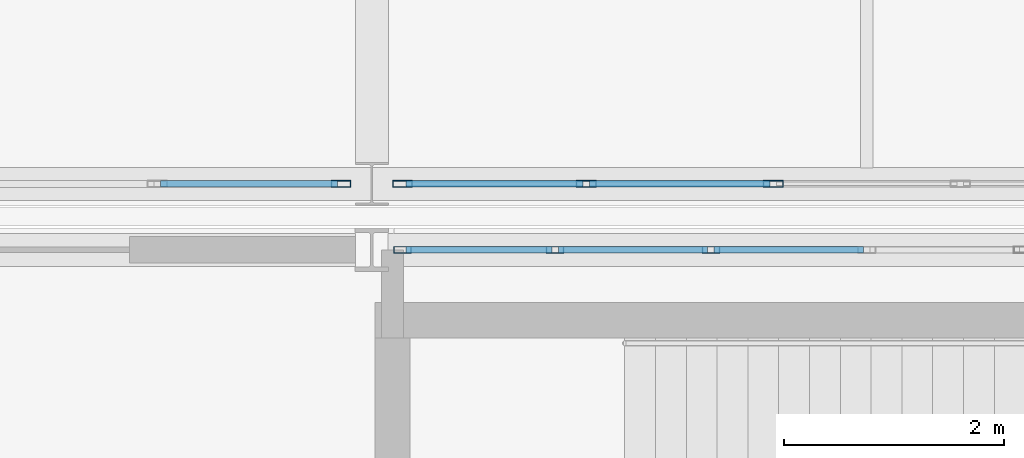
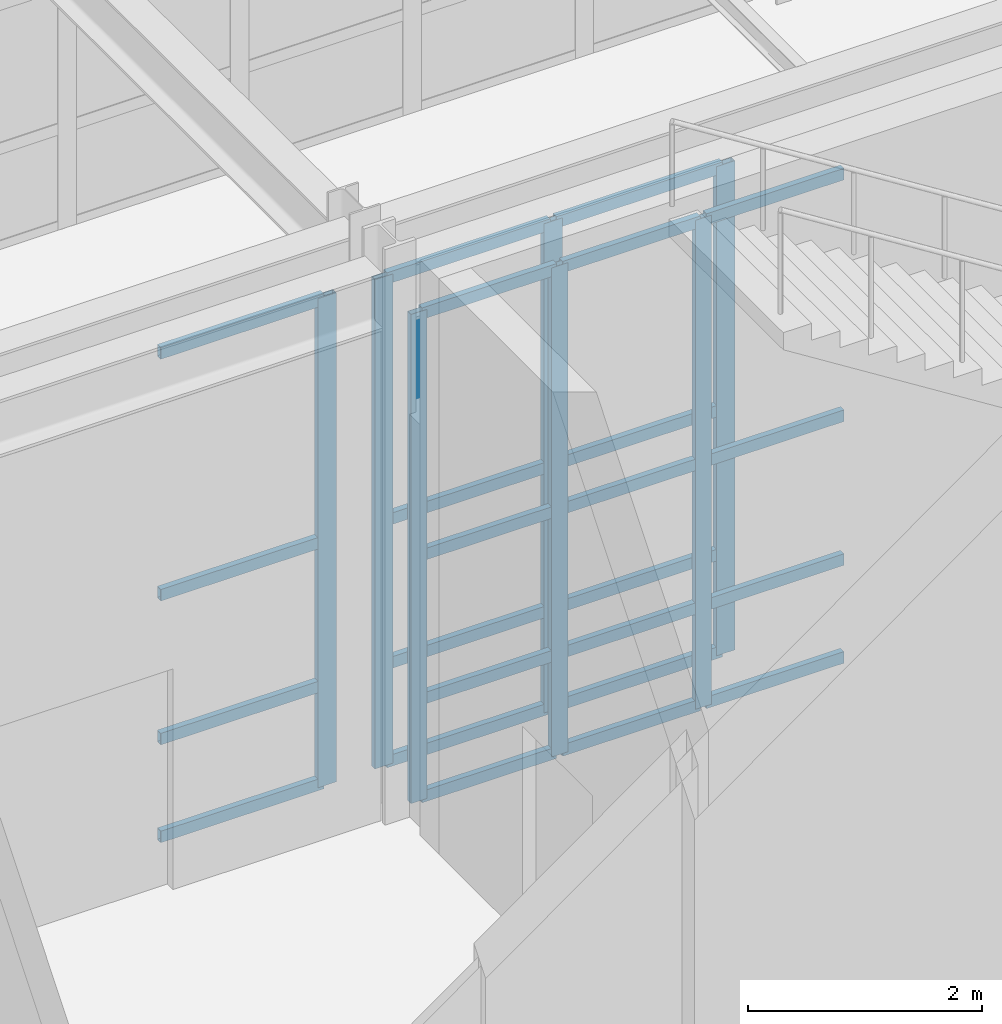
# One storey, part 31 of 146: 31 members, 3 elements without a shape of their own.
"""IFC4 building model written with IfcOpenShell, lengths in metres."""

from ifc_helpers import new_model, si_unit, direction, frame, origin, origin_2d, place, context, subcontext, project, spatial, hollow_rectangle, extrude, material, material_profile, profile_set, type_object, element, aggregate, save


model = new_model("IFC4")

# Units and contexts
model_context = context("Model", 3, precision=1e-05, world=origin(), true_north=direction((0.0, 1.0)))
body_context = subcontext(model_context, "Body", "Model", "MODEL_VIEW")
ifc_project = project(units=[si_unit("LENGTHUNIT", "METRE"), si_unit("AREAUNIT", "SQUARE_METRE"), si_unit("VOLUMEUNIT", "CUBIC_METRE"), si_unit("PLANEANGLEUNIT", "RADIAN"), si_unit("MASSUNIT", "GRAM", prefix="KILO")], contexts=[model_context])

# Site, building, storey
site_placement = place(None, origin())
site = spatial("IfcSite", under=ifc_project, at=site_placement, CompositionType="ELEMENT")
building_placement = place(site_placement, origin())
building = spatial("IfcBuilding", under=site, at=building_placement, Name="Kaldris Quays Convention Centre", CompositionType="ELEMENT")
storey_placement = place(building_placement, origin())
storey = spatial("IfcBuildingStorey", under=building, at=storey_placement, Name="L00", CompositionType="ELEMENT", Elevation=0.0)

# Curtain wall, members
ifc_material_1 = material(Name="Anodized aluminium AW-6060 and triple glazing", Category="aluminium")
curtain_wall_type_1 = type_object("IfcCurtainWallType", Name="UNITISED CURTAIN WALL CW01", PredefinedType="NOTDEFINED", material=ifc_material_1)
curtain_wall_1_placement = place(storey_placement, origin())
curtain_wall_1 = element("IfcCurtainWall", 1, at=curtain_wall_1_placement, inside=storey, type_object=curtain_wall_type_1, Name="L00 Unitised Curtain Wall CW01 46", PredefinedType="NOTDEFINED")
ifc_material_2 = material(Name="Anodized aluminium AW-6060", Category="aluminium")
ifc_material_profile_1 = material_profile(ifc_material_2, hollow_rectangle(XDim=0.06005859375, YDim=0.159912109375, WallThickness=0.00390625, at=origin_2d()), Name="RHS 160x60x4")
ifc_profile_set_1 = profile_set([ifc_material_profile_1], Name="Anodized aluminium AW-6060")
member_type_1 = type_object("IfcMemberType", Name="CURTAIN MULLION CWM1", PredefinedType="MULLION", material=ifc_profile_set_1)
member_1_placement = place(storey_placement, frame((47.280029296875, 46.0, 0.0), z_axis=(0.0, 0.0, 1.0), x_axis=(0.0, 1.0, 0.0)))
member_1 = element("IfcMember", 2, at=member_1_placement, type_object=member_type_1, Name="CW01 mullion 1", PredefinedType="MULLION", context=body_context, shape_type="SweptSolid", body=[
    extrude(hollow_rectangle(XDim=0.06005859375, YDim=0.159912109375, WallThickness=0.00390625, at=origin_2d()), origin(), (0.0, 0.0, 1.0), 5.097900390625),
])
member_2_placement = place(storey_placement, frame((48.666748046875, 46.0, 0.0), z_axis=(0.0, 0.0, 1.0), x_axis=(0.0, 1.0, 0.0)))
member_2 = element("IfcMember", 3, at=member_2_placement, type_object=member_type_1, Name="CW01 mullion 2", PredefinedType="MULLION", context=body_context, shape_type="SweptSolid", body=[
    extrude(hollow_rectangle(XDim=0.06005859375, YDim=0.159912109375, WallThickness=0.00390625, at=origin_2d()), origin(), (0.0, 0.0, 1.0), 5.097900390625),
])
member_3_placement = place(storey_placement, frame((50.083251953125, 46.0, 0.0), z_axis=(0.0, 0.0, 1.0), x_axis=(0.0, 1.0, 0.0)))
member_3 = element("IfcMember", 4, at=member_3_placement, type_object=member_type_1, Name="CW01 mullion 3", PredefinedType="MULLION", context=body_context, shape_type="SweptSolid", body=[
    extrude(hollow_rectangle(XDim=0.06005859375, YDim=0.159912109375, WallThickness=0.00390625, at=origin_2d()), origin(), (0.0, 0.0, 1.0), 5.097900390625),
])

# Curtain wall, member
curtain_wall_type_2 = type_object("IfcCurtainWallType", Name="UNITISED CURTAIN WALL CW02", PredefinedType="NOTDEFINED", material=ifc_material_1)
curtain_wall_2_placement = place(storey_placement, origin())
curtain_wall_2 = element("IfcCurtainWall", 5, at=curtain_wall_2_placement, inside=storey, type_object=curtain_wall_type_2, Name="L00 Unitised Curtain Wall CW02 80", PredefinedType="NOTDEFINED")
ifc_material_profile_2 = material_profile(ifc_material_2, hollow_rectangle(XDim=0.06005859375, YDim=0.179931640625, WallThickness=0.0048828125, at=origin_2d()), Name="RHS 180x60x5")
ifc_profile_set_2 = profile_set([ifc_material_profile_2], Name="Anodized aluminium AW-6060")
member_type_2 = type_object("IfcMemberType", Name="CURTAIN MULLION CWM2", PredefinedType="MULLION", material=ifc_profile_set_2)
member_4_placement = place(storey_placement, frame((46.719970703125, 46.60009765625, 0.0), z_axis=(0.0, 0.0, 1.0), x_axis=(0.0, 1.0, 0.0)))
member_4 = element("IfcMember", 6, at=member_4_placement, type_object=member_type_2, Name="CW02 mullion 6", PredefinedType="MULLION", context=body_context, shape_type="SweptSolid", body=[
    extrude(hollow_rectangle(XDim=0.06005859375, YDim=0.179931640625, WallThickness=0.0048828125, at=origin_2d()), origin(), (0.0, 0.0, 1.0), 5.10009765625),
])

# Curtain wall, members
curtain_wall_3_placement = place(storey_placement, origin())
curtain_wall_3 = element("IfcCurtainWall", 7, at=curtain_wall_3_placement, inside=storey, type_object=curtain_wall_type_2, Name="L00 Unitised Curtain Wall CW02 82", PredefinedType="NOTDEFINED")
member_5_placement = place(storey_placement, frame((47.280029296875, 46.60009765625, 0.0), z_axis=(0.0, 0.0, 1.0), x_axis=(0.0, 1.0, 0.0)))
member_5 = element("IfcMember", 8, at=member_5_placement, type_object=member_type_2, Name="CW02 mullion 1", PredefinedType="MULLION", context=body_context, shape_type="SweptSolid", body=[
    extrude(hollow_rectangle(XDim=0.06005859375, YDim=0.179931640625, WallThickness=0.0048828125, at=origin_2d()), origin(), (0.0, 0.0, 1.0), 5.10009765625),
])
member_6_placement = place(storey_placement, frame((48.949951171875, 46.60009765625, 0.0), z_axis=(0.0, 0.0, 1.0), x_axis=(0.0, 1.0, 0.0)))
member_6 = element("IfcMember", 9, at=member_6_placement, type_object=member_type_2, Name="CW02 mullion 2", PredefinedType="MULLION", context=body_context, shape_type="SweptSolid", body=[
    extrude(hollow_rectangle(XDim=0.06005859375, YDim=0.179931640625, WallThickness=0.0048828125, at=origin_2d()), origin(), (0.0, 0.0, 1.0), 5.10009765625),
])
member_7_placement = place(storey_placement, frame((50.64990234375, 46.60009765625, 0.0), z_axis=(0.0, 0.0, 1.0), x_axis=(0.0, 1.0, 0.0)))
member_7 = element("IfcMember", 10, at=member_7_placement, type_object=member_type_2, Name="CW02 mullion 3", PredefinedType="MULLION", context=body_context, shape_type="SweptSolid", body=[
    extrude(hollow_rectangle(XDim=0.06005859375, YDim=0.179931640625, WallThickness=0.0048828125, at=origin_2d()), origin(), (0.0, 0.0, 1.0), 5.10009765625),
])

# Member
ifc_material_profile_3 = material_profile(ifc_material_2, hollow_rectangle(XDim=0.06005859375, YDim=0.1201171875, WallThickness=0.00390625, at=origin_2d()), Name="RHS 120x60x4")
ifc_profile_set_3 = profile_set([ifc_material_profile_3], Name="Anodized aluminium AW-6060")
member_type_3 = type_object("IfcMemberType", Name="CURTAIN TRANSOM CWT1", PredefinedType="USERDEFINED", material=ifc_profile_set_3)
member_8_placement = place(storey_placement, frame((47.31005859375, 46.0, 0.030029296875), z_axis=(1.0, 0.0, 0.0), x_axis=(0.0, 1.0, 0.0)))
member_8 = element("IfcMember", 11, at=member_8_placement, type_object=member_type_3, Name="CW01 transom 1.1", ObjectType="TRANSOM", PredefinedType="USERDEFINED", context=body_context, shape_type="SweptSolid", body=[
    extrude(hollow_rectangle(XDim=0.06005859375, YDim=0.1201171875, WallThickness=0.00390625, at=origin_2d()), origin(), (0.0, 0.0, 1.0), 1.32666015625),
])

member_9_placement = place(storey_placement, frame((47.31005859375, 46.0, 1.050048828125), z_axis=(1.0, 0.0, 0.0), x_axis=(0.0, 1.0, 0.0)))
member_9 = element("IfcMember", 12, at=member_9_placement, type_object=member_type_3, Name="CW01 transom 1.2", ObjectType="TRANSOM", PredefinedType="USERDEFINED", context=body_context, shape_type="SweptSolid", body=[
    extrude(hollow_rectangle(XDim=0.06005859375, YDim=0.1201171875, WallThickness=0.00390625, at=origin_2d()), origin(), (0.0, 0.0, 1.0), 1.32666015625),
])

member_10_placement = place(storey_placement, frame((47.31005859375, 46.0, 2.549072265625), z_axis=(1.0, 0.0, 0.0), x_axis=(0.0, 1.0, 0.0)))
member_10 = element("IfcMember", 13, at=member_10_placement, type_object=member_type_3, Name="CW01 transom 1.3", ObjectType="TRANSOM", PredefinedType="USERDEFINED", context=body_context, shape_type="SweptSolid", body=[
    extrude(hollow_rectangle(XDim=0.06005859375, YDim=0.1201171875, WallThickness=0.00390625, at=origin_2d()), origin(), (0.0, 0.0, 1.0), 1.32666015625),
])

member_11_placement = place(storey_placement, frame((47.31005859375, 46.0, 5.068115234375), z_axis=(1.0, 0.0, 0.0), x_axis=(0.0, 1.0, 0.0)))
member_11 = element("IfcMember", 14, at=member_11_placement, type_object=member_type_3, Name="CW01 transom 1.4", ObjectType="TRANSOM", PredefinedType="USERDEFINED", context=body_context, shape_type="SweptSolid", body=[
    extrude(hollow_rectangle(XDim=0.06005859375, YDim=0.1201171875, WallThickness=0.00390625, at=origin_2d()), origin(), (0.0, 0.0, 1.0), 1.32666015625),
])

member_12_placement = place(storey_placement, frame((48.69677734375, 46.0, 0.030029296875), z_axis=(1.0, 0.0, 0.0), x_axis=(0.0, 1.0, 0.0)))
member_12 = element("IfcMember", 15, at=member_12_placement, type_object=member_type_3, Name="CW01 transom 2.1", ObjectType="TRANSOM", PredefinedType="USERDEFINED", context=body_context, shape_type="SweptSolid", body=[
    extrude(hollow_rectangle(XDim=0.06005859375, YDim=0.1201171875, WallThickness=0.00390625, at=origin_2d()), origin(), (0.0, 0.0, 1.0), 1.3564453125),
])

member_13_placement = place(storey_placement, frame((48.69677734375, 46.0, 1.050048828125), z_axis=(1.0, 0.0, 0.0), x_axis=(0.0, 1.0, 0.0)))
member_13 = element("IfcMember", 16, at=member_13_placement, type_object=member_type_3, Name="CW01 transom 2.2", ObjectType="TRANSOM", PredefinedType="USERDEFINED", context=body_context, shape_type="SweptSolid", body=[
    extrude(hollow_rectangle(XDim=0.06005859375, YDim=0.1201171875, WallThickness=0.00390625, at=origin_2d()), origin(), (0.0, 0.0, 1.0), 1.3564453125),
])

member_14_placement = place(storey_placement, frame((48.69677734375, 46.0, 2.549072265625), z_axis=(1.0, 0.0, 0.0), x_axis=(0.0, 1.0, 0.0)))
member_14 = element("IfcMember", 17, at=member_14_placement, type_object=member_type_3, Name="CW01 transom 2.3", ObjectType="TRANSOM", PredefinedType="USERDEFINED", context=body_context, shape_type="SweptSolid", body=[
    extrude(hollow_rectangle(XDim=0.06005859375, YDim=0.1201171875, WallThickness=0.00390625, at=origin_2d()), origin(), (0.0, 0.0, 1.0), 1.3564453125),
])

member_15_placement = place(storey_placement, frame((48.69677734375, 46.0, 5.068115234375), z_axis=(1.0, 0.0, 0.0), x_axis=(0.0, 1.0, 0.0)))
member_15 = element("IfcMember", 18, at=member_15_placement, type_object=member_type_3, Name="CW01 transom 2.4", ObjectType="TRANSOM", PredefinedType="USERDEFINED", context=body_context, shape_type="SweptSolid", body=[
    extrude(hollow_rectangle(XDim=0.06005859375, YDim=0.1201171875, WallThickness=0.00390625, at=origin_2d()), origin(), (0.0, 0.0, 1.0), 1.3564453125),
])

member_16_placement = place(storey_placement, frame((50.11328125, 46.0, 0.030029296875), z_axis=(1.0, 0.0, 0.0), x_axis=(0.0, 1.0, 0.0)))
member_16 = element("IfcMember", 19, at=member_16_placement, type_object=member_type_3, Name="CW01 transom 3.1", ObjectType="TRANSOM", PredefinedType="USERDEFINED", context=body_context, shape_type="SweptSolid", body=[
    extrude(hollow_rectangle(XDim=0.06005859375, YDim=0.1201171875, WallThickness=0.00390625, at=origin_2d()), origin(), (0.0, 0.0, 1.0), 1.356689453125),
])

member_17_placement = place(storey_placement, frame((50.11328125, 46.0, 1.050048828125), z_axis=(1.0, 0.0, 0.0), x_axis=(0.0, 1.0, 0.0)))
member_17 = element("IfcMember", 20, at=member_17_placement, type_object=member_type_3, Name="CW01 transom 3.2", ObjectType="TRANSOM", PredefinedType="USERDEFINED", context=body_context, shape_type="SweptSolid", body=[
    extrude(hollow_rectangle(XDim=0.06005859375, YDim=0.1201171875, WallThickness=0.00390625, at=origin_2d()), origin(), (0.0, 0.0, 1.0), 1.356689453125),
])

member_18_placement = place(storey_placement, frame((50.11328125, 46.0, 2.549072265625), z_axis=(1.0, 0.0, 0.0), x_axis=(0.0, 1.0, 0.0)))
member_18 = element("IfcMember", 21, at=member_18_placement, type_object=member_type_3, Name="CW01 transom 3.3", ObjectType="TRANSOM", PredefinedType="USERDEFINED", context=body_context, shape_type="SweptSolid", body=[
    extrude(hollow_rectangle(XDim=0.06005859375, YDim=0.1201171875, WallThickness=0.00390625, at=origin_2d()), origin(), (0.0, 0.0, 1.0), 1.356689453125),
])

member_19_placement = place(storey_placement, frame((50.11328125, 46.0, 5.068115234375), z_axis=(1.0, 0.0, 0.0), x_axis=(0.0, 1.0, 0.0)))
member_19 = element("IfcMember", 22, at=member_19_placement, type_object=member_type_3, Name="CW01 transom 3.4", ObjectType="TRANSOM", PredefinedType="USERDEFINED", context=body_context, shape_type="SweptSolid", body=[
    extrude(hollow_rectangle(XDim=0.06005859375, YDim=0.1201171875, WallThickness=0.00390625, at=origin_2d()), origin(), (0.0, 0.0, 1.0), 1.356689453125),
])

aggregate(curtain_wall_1, [member_1, member_2, member_3, member_8, member_9, member_10, member_11, member_12, member_13, member_14, member_15, member_16, member_17, member_18, member_19])

member_20_placement = place(storey_placement, frame((45.080078125, 46.60009765625, 0.030029296875), z_axis=(1.0, 0.0, 0.0), x_axis=(0.0, 1.0, 0.0)))
member_20 = element("IfcMember", 23, at=member_20_placement, type_object=member_type_3, Name="CW02 transom 5.1", ObjectType="TRANSOM", PredefinedType="USERDEFINED", context=body_context, shape_type="SweptSolid", body=[
    extrude(hollow_rectangle(XDim=0.06005859375, YDim=0.1201171875, WallThickness=0.00390625, at=origin_2d()), origin(), (0.0, 0.0, 1.0), 1.60986328125),
])

member_21_placement = place(storey_placement, frame((45.080078125, 46.60009765625, 1.050048828125), z_axis=(1.0, 0.0, 0.0), x_axis=(0.0, 1.0, 0.0)))
member_21 = element("IfcMember", 24, at=member_21_placement, type_object=member_type_3, Name="CW02 transom 5.2", ObjectType="TRANSOM", PredefinedType="USERDEFINED", context=body_context, shape_type="SweptSolid", body=[
    extrude(hollow_rectangle(XDim=0.06005859375, YDim=0.1201171875, WallThickness=0.00390625, at=origin_2d()), origin(), (0.0, 0.0, 1.0), 1.60986328125),
])

member_22_placement = place(storey_placement, frame((45.080078125, 46.60009765625, 2.550048828125), z_axis=(1.0, 0.0, 0.0), x_axis=(0.0, 1.0, 0.0)))
member_22 = element("IfcMember", 25, at=member_22_placement, type_object=member_type_3, Name="CW02 transom 5.3", ObjectType="TRANSOM", PredefinedType="USERDEFINED", context=body_context, shape_type="SweptSolid", body=[
    extrude(hollow_rectangle(XDim=0.06005859375, YDim=0.1201171875, WallThickness=0.00390625, at=origin_2d()), origin(), (0.0, 0.0, 1.0), 1.60986328125),
])

member_23_placement = place(storey_placement, frame((45.080078125, 46.60009765625, 5.070068359375), z_axis=(1.0, 0.0, 0.0), x_axis=(0.0, 1.0, 0.0)))
member_23 = element("IfcMember", 26, at=member_23_placement, type_object=member_type_3, Name="CW02 transom 5.4", ObjectType="TRANSOM", PredefinedType="USERDEFINED", context=body_context, shape_type="SweptSolid", body=[
    extrude(hollow_rectangle(XDim=0.06005859375, YDim=0.1201171875, WallThickness=0.00390625, at=origin_2d()), origin(), (0.0, 0.0, 1.0), 1.60986328125),
])

aggregate(curtain_wall_2, [member_4, member_20, member_21, member_22, member_23])

member_24_placement = place(storey_placement, frame((47.31005859375, 46.60009765625, 0.030029296875), z_axis=(1.0, 0.0, 0.0), x_axis=(0.0, 1.0, 0.0)))
member_24 = element("IfcMember", 27, at=member_24_placement, type_object=member_type_3, Name="CW02 transom 1.1", ObjectType="TRANSOM", PredefinedType="USERDEFINED", context=body_context, shape_type="SweptSolid", body=[
    extrude(hollow_rectangle(XDim=0.06005859375, YDim=0.1201171875, WallThickness=0.00390625, at=origin_2d()), origin(), (0.0, 0.0, 1.0), 1.60986328125),
])

member_25_placement = place(storey_placement, frame((47.31005859375, 46.60009765625, 1.050048828125), z_axis=(1.0, 0.0, 0.0), x_axis=(0.0, 1.0, 0.0)))
member_25 = element("IfcMember", 28, at=member_25_placement, type_object=member_type_3, Name="CW02 transom 1.2", ObjectType="TRANSOM", PredefinedType="USERDEFINED", context=body_context, shape_type="SweptSolid", body=[
    extrude(hollow_rectangle(XDim=0.06005859375, YDim=0.1201171875, WallThickness=0.00390625, at=origin_2d()), origin(), (0.0, 0.0, 1.0), 1.60986328125),
])

member_26_placement = place(storey_placement, frame((47.31005859375, 46.60009765625, 2.550048828125), z_axis=(1.0, 0.0, 0.0), x_axis=(0.0, 1.0, 0.0)))
member_26 = element("IfcMember", 29, at=member_26_placement, type_object=member_type_3, Name="CW02 transom 1.3", ObjectType="TRANSOM", PredefinedType="USERDEFINED", context=body_context, shape_type="SweptSolid", body=[
    extrude(hollow_rectangle(XDim=0.06005859375, YDim=0.1201171875, WallThickness=0.00390625, at=origin_2d()), origin(), (0.0, 0.0, 1.0), 1.60986328125),
])

member_27_placement = place(storey_placement, frame((47.31005859375, 46.60009765625, 5.070068359375), z_axis=(1.0, 0.0, 0.0), x_axis=(0.0, 1.0, 0.0)))
member_27 = element("IfcMember", 30, at=member_27_placement, type_object=member_type_3, Name="CW02 transom 1.4", ObjectType="TRANSOM", PredefinedType="USERDEFINED", context=body_context, shape_type="SweptSolid", body=[
    extrude(hollow_rectangle(XDim=0.06005859375, YDim=0.1201171875, WallThickness=0.00390625, at=origin_2d()), origin(), (0.0, 0.0, 1.0), 1.60986328125),
])

member_28_placement = place(storey_placement, frame((48.97998046875, 46.60009765625, 0.030029296875), z_axis=(1.0, 0.0, 0.0), x_axis=(0.0, 1.0, 0.0)))
member_28 = element("IfcMember", 31, at=member_28_placement, type_object=member_type_3, Name="CW02 transom 2.1", ObjectType="TRANSOM", PredefinedType="USERDEFINED", context=body_context, shape_type="SweptSolid", body=[
    extrude(hollow_rectangle(XDim=0.06005859375, YDim=0.1201171875, WallThickness=0.00390625, at=origin_2d()), origin(), (0.0, 0.0, 1.0), 1.64013671875),
])

member_29_placement = place(storey_placement, frame((48.97998046875, 46.60009765625, 1.050048828125), z_axis=(1.0, 0.0, 0.0), x_axis=(0.0, 1.0, 0.0)))
member_29 = element("IfcMember", 32, at=member_29_placement, type_object=member_type_3, Name="CW02 transom 2.2", ObjectType="TRANSOM", PredefinedType="USERDEFINED", context=body_context, shape_type="SweptSolid", body=[
    extrude(hollow_rectangle(XDim=0.06005859375, YDim=0.1201171875, WallThickness=0.00390625, at=origin_2d()), origin(), (0.0, 0.0, 1.0), 1.64013671875),
])

member_30_placement = place(storey_placement, frame((48.97998046875, 46.60009765625, 2.550048828125), z_axis=(1.0, 0.0, 0.0), x_axis=(0.0, 1.0, 0.0)))
member_30 = element("IfcMember", 33, at=member_30_placement, type_object=member_type_3, Name="CW02 transom 2.3", ObjectType="TRANSOM", PredefinedType="USERDEFINED", context=body_context, shape_type="SweptSolid", body=[
    extrude(hollow_rectangle(XDim=0.06005859375, YDim=0.1201171875, WallThickness=0.00390625, at=origin_2d()), origin(), (0.0, 0.0, 1.0), 1.64013671875),
])

member_31_placement = place(storey_placement, frame((48.97998046875, 46.60009765625, 5.070068359375), z_axis=(1.0, 0.0, 0.0), x_axis=(0.0, 1.0, 0.0)))
member_31 = element("IfcMember", 34, at=member_31_placement, type_object=member_type_3, Name="CW02 transom 2.4", ObjectType="TRANSOM", PredefinedType="USERDEFINED", context=body_context, shape_type="SweptSolid", body=[
    extrude(hollow_rectangle(XDim=0.06005859375, YDim=0.1201171875, WallThickness=0.00390625, at=origin_2d()), origin(), (0.0, 0.0, 1.0), 1.64013671875),
])

aggregate(curtain_wall_3, [member_5, member_6, member_7, member_24, member_25, member_26, member_27, member_28, member_29, member_30, member_31])

save(model, "model.ifc")
